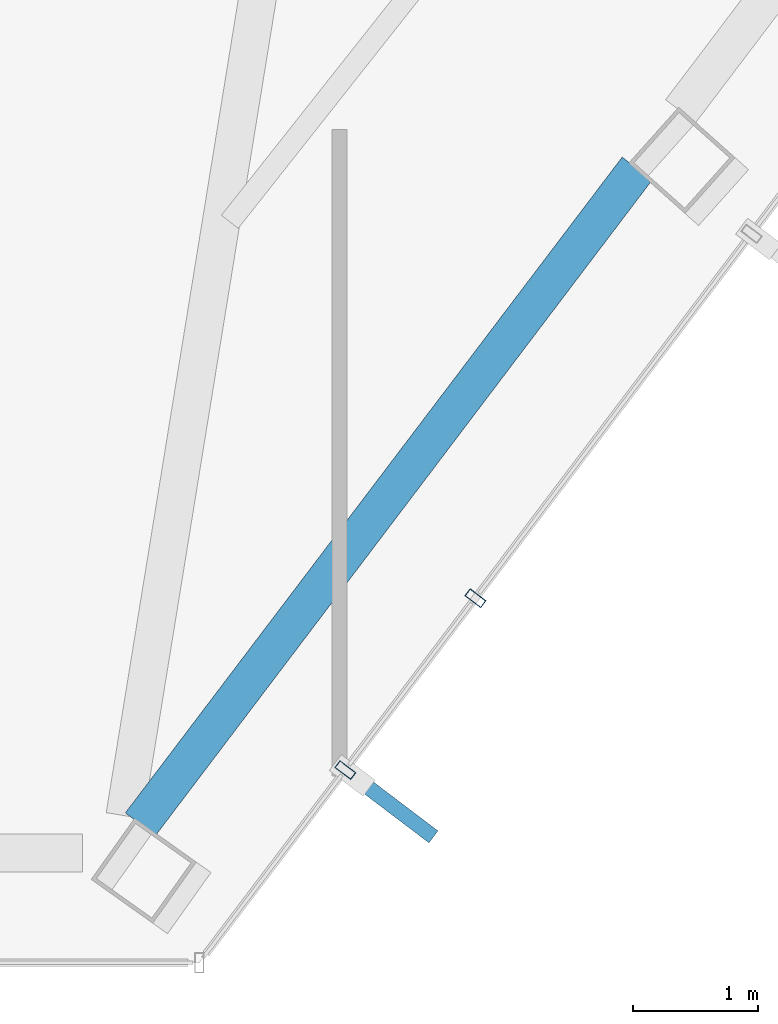
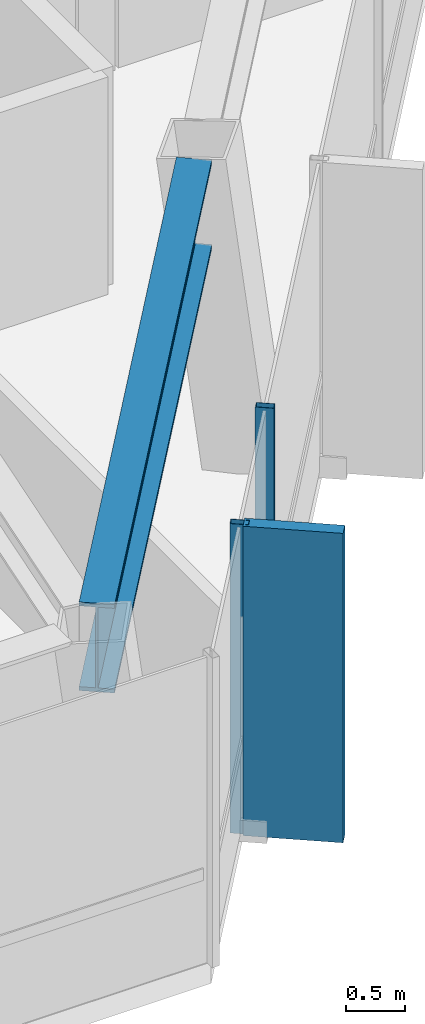
# One storey, part 8 of 27: 3 members, 1 beam, 1 element without a shape of its own.
"""IFC4 building model written with IfcOpenShell, lengths in metres."""

from ifc_helpers import new_model, si_unit, direction, frame, origin, origin_2d, place, context, subcontext, project, spatial, rectangle, hollow_rectangle, i_section, extrude, material, layer, layer_set, material_profile, profile_set, type_object, element, aggregate, save


model = new_model("IFC4")

# Units and contexts
model_context = context("Model", 3, precision=1e-05, world=origin(), true_north=direction((0.0, 1.0)))
body_context = subcontext(model_context, "Body", "Model", "MODEL_VIEW")
ifc_project = project(units=[si_unit("LENGTHUNIT", "METRE"), si_unit("AREAUNIT", "SQUARE_METRE"), si_unit("VOLUMEUNIT", "CUBIC_METRE"), si_unit("PLANEANGLEUNIT", "RADIAN"), si_unit("MASSUNIT", "GRAM", prefix="KILO")], contexts=[model_context])

# Site, building, storey
site_placement = place(None, origin())
site = spatial("IfcSite", under=ifc_project, at=site_placement, CompositionType="ELEMENT")
building_placement = place(site_placement, origin())
building = spatial("IfcBuilding", under=site, at=building_placement, Name="Zarrinselat Tower", CompositionType="ELEMENT")
storey_placement = place(building_placement, frame((0.0, 0.0, 235.9599609375)))
storey = spatial("IfcBuildingStorey", under=building, at=storey_placement, Name="L59", CompositionType="ELEMENT", Elevation=235.9599609375)

# Beam
ifc_material_1 = material(Name="Steel S460M", Category="steel")
ifc_material_profile_1 = material_profile(ifc_material_1, i_section(OverallWidth=0.302001953125, OverallDepth=0.909912109375, WebThickness=0.02099609375, FlangeThickness=0.0400390625, at=origin_2d()), Name="HEM 900")
ifc_profile_set_1 = profile_set([ifc_material_profile_1], Name="Steel S460M")
beam_type = type_object("IfcBeamType", Name="BM-HEM900", PredefinedType="BEAM", material=ifc_profile_set_1)
beam_placement = place(storey_placement, frame((43.708984375, 19.4423828125, 2.72509765625), z_axis=(0.603886974142, 0.797069960832, 0.0), x_axis=(-0.797069960832, 0.603886974142, 0.0)))
element("IfcBeam", 1, at=beam_placement, inside=storey, type_object=beam_type, Name="L59 Perimeter Spandrel Girder SP11", PredefinedType="BEAM", context=body_context, shape_type="SweptSolid", body=[
    extrude(i_section(OverallWidth=0.302001953125, OverallDepth=0.909912109375, WebThickness=0.02099609375, FlangeThickness=0.0400390625, at=origin_2d()), origin(), (0.0, 0.0, 1.0), 6.58056640625),
])

# Curtain wall, members
ifc_material_2 = material(Name="Extruded Aluminium Alloy EN AW-6063 T6", Category="aluminium")
ifc_layer = layer(ifc_material_2, 0.169921875)
ifc_layer_set = layer_set([ifc_layer], Name="Extruded Aluminium Alloy EN AW-6063 T6")
curtain_wall_type = type_object("IfcCurtainWallType", Name="CWS-RES", PredefinedType="NOTDEFINED", material=ifc_layer_set)
curtain_wall_placement = place(storey_placement, origin())
curtain_wall = element("IfcCurtainWall", 2, at=curtain_wall_placement, inside=storey, type_object=curtain_wall_type, Name="L59 Unitised Curtain Wall CW-L59-E05", PredefinedType="NOTDEFINED")
ifc_material_3 = material(Name="Extruded Aluminium Alloy EN AW-6063 T6", Category="aluminium")
ifc_material_profile_2 = material_profile(ifc_material_3, hollow_rectangle(XDim=0.070068359375, YDim=0.159912109375, WallThickness=0.00390625, at=origin_2d()), Name="RHS 160x70x4")
ifc_profile_set_2 = profile_set([ifc_material_profile_2], Name="Extruded Aluminium Alloy EN AW-6063 T6")
member_type_1 = type_object("IfcMemberType", Name="MEM-CW-MUL2", PredefinedType="MULLION", material=ifc_profile_set_2)
member_1_placement = place(storey_placement, frame((45.347900390625, 19.87548828125, 0.0), z_axis=(0.0, 0.0, 1.0), x_axis=(0.603858872188, 0.797091251037, 0.0)))
member_1 = element("IfcMember", 3, at=member_1_placement, type_object=member_type_1, Name="CW-L59-E05 Mullion 1", PredefinedType="MULLION", context=body_context, shape_type="SweptSolid", body=[
    extrude(hollow_rectangle(XDim=0.070068359375, YDim=0.159912109375, WallThickness=0.00390625, at=origin_2d()), origin(), (0.0, 0.0, 1.0), 3.179931640625),
])
member_2_placement = place(storey_placement, frame((46.388916015625, 21.25, 0.0), z_axis=(0.0, 0.0, 1.0), x_axis=(0.603858872188, 0.797091251037, 0.0)))
member_2 = element("IfcMember", 4, at=member_2_placement, type_object=member_type_1, Name="CW-L59-E05 Mullion 2", PredefinedType="MULLION", context=body_context, shape_type="SweptSolid", body=[
    extrude(hollow_rectangle(XDim=0.070068359375, YDim=0.159912109375, WallThickness=0.00390625, at=origin_2d()), origin(), (0.0, 0.0, 1.0), 3.179931640625),
])
ifc_material_4 = material(Name="Honed Cream Travertine Stone", Category="masonry")
ifc_material_profile_3 = material_profile(ifc_material_4, rectangle(XDim=0.1201171875, YDim=0.85009765625, at=origin_2d()), Name="FIN 850x120")
ifc_profile_set_3 = profile_set([ifc_material_profile_3], Name="Honed Cream Travertine Stone")
member_type_2 = type_object("IfcMemberType", Name="MEM-STONE-FIN", PredefinedType="USERDEFINED", material=ifc_profile_set_3)
member_3_placement = place(storey_placement, frame((45.714599609375, 19.597900390625, 0.0), z_axis=(0.0, 0.0, 1.0), x_axis=(-0.603858872188, -0.797091251037, 0.0)))
member_3 = element("IfcMember", 5, at=member_3_placement, type_object=member_type_2, Name="L59 Stone Shading Fin CW-L59-E05-01", ObjectType="FIN", PredefinedType="USERDEFINED", context=body_context, shape_type="SweptSolid", body=[
    extrude(rectangle(XDim=0.1201171875, YDim=0.85009765625, at=origin_2d()), origin(), (0.0, 0.0, 1.0), 3.179931640625),
])
aggregate(curtain_wall, [member_1, member_3, member_2])

save(model, "model.ifc")
